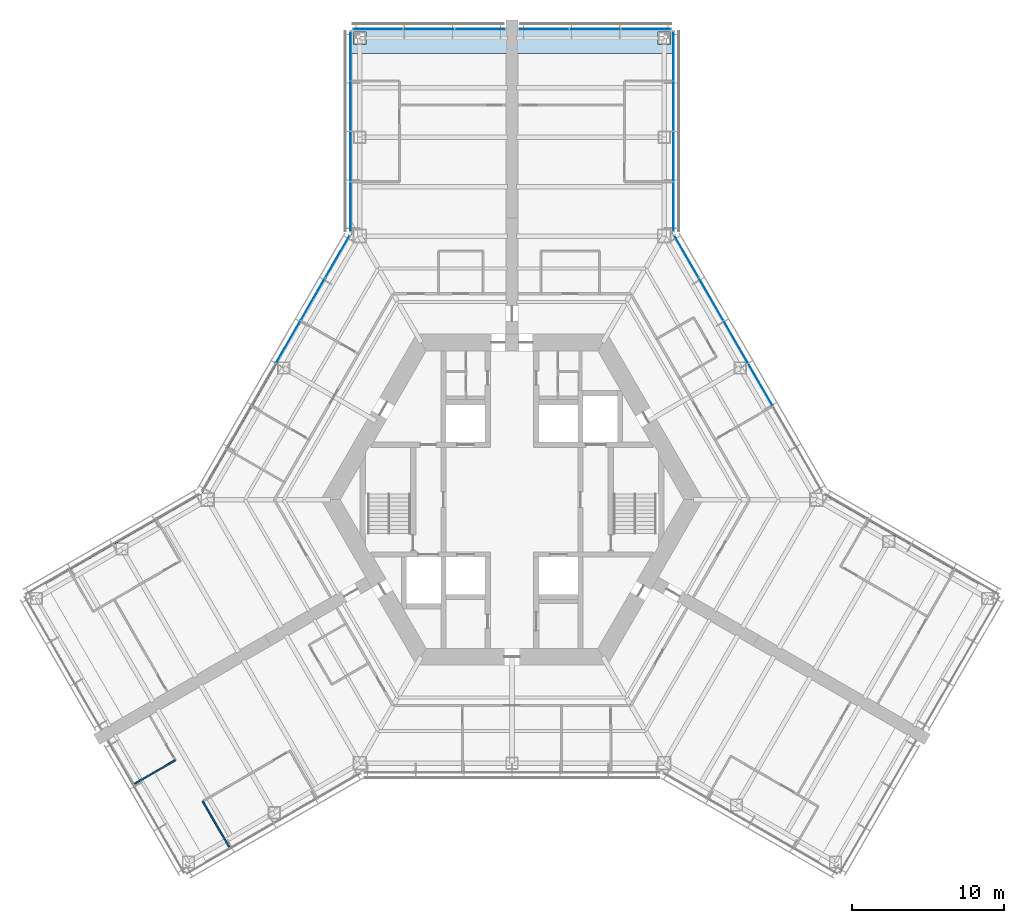
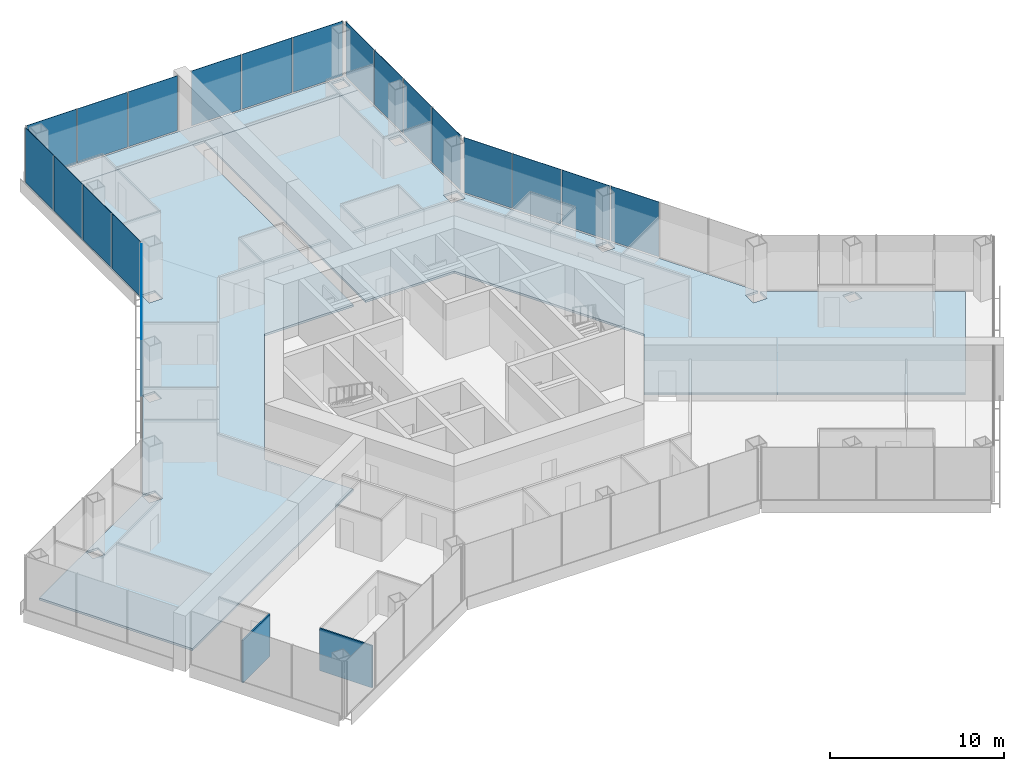
# One storey, part 11 of 18: 21 plates, 3 slabs, 2 walls, 6 elements without a shape of their own.
"""IFC4 building model written with IfcOpenShell, lengths in metres."""

from ifc_helpers import new_model, si_unit, direction, frame, frame_2d, origin, origin_2d, place, context, subcontext, project, spatial, polyline, rectangle, outline, extrude, material, layer, layer_set, type_object, element, aggregate, save


model = new_model("IFC4")

# Units and contexts
model_context = context("Model", 3, precision=1e-05, world=origin(), true_north=direction((0.0, 1.0)))
body_context = subcontext(model_context, "Body", "Model", "MODEL_VIEW")
ifc_project = project(units=[si_unit("LENGTHUNIT", "METRE"), si_unit("AREAUNIT", "SQUARE_METRE"), si_unit("VOLUMEUNIT", "CUBIC_METRE"), si_unit("PLANEANGLEUNIT", "RADIAN"), si_unit("MASSUNIT", "GRAM", prefix="KILO")], contexts=[model_context])

# Site, building, storey
site_placement = place(None, origin())
site = spatial("IfcSite", under=ifc_project, at=site_placement, CompositionType="ELEMENT")
building_placement = place(site_placement, origin())
building = spatial("IfcBuilding", under=site, at=building_placement, Name="Kasaneha Research Tower", CompositionType="ELEMENT")
storey_placement = place(building_placement, frame((0.0, 0.0, 115.800048828125)))
storey = spatial("IfcBuildingStorey", under=building, at=storey_placement, Name="L29", CompositionType="ELEMENT", Elevation=115.800048828125)

# Curtain wall, plates
ifc_material_1 = material(Name="Glass and aluminium", Category="aluminium")
curtain_wall_type = type_object("IfcCurtainWallType", Name="Low-rise office curtain wall", PredefinedType="USERDEFINED", material=ifc_material_1)
curtain_wall_1_placement = place(storey_placement, origin())
curtain_wall_1 = element("IfcCurtainWall", 1, at=curtain_wall_1_placement, inside=storey, type_object=curtain_wall_type, Name="CW-O1 L29 run 07a", ObjectType="UNITISED CURTAIN WALL", PredefinedType="USERDEFINED")
ifc_material_2 = material(Name="Laminated double glazing", Category="glass")
ifc_layer_1 = layer(ifc_material_2, 0.028076171875)
ifc_layer_set_1 = layer_set([ifc_layer_1], Name="CW-O1 glazed panel")
plate_type = type_object("IfcPlateType", Name="CW-O1 glazed panel", PredefinedType="CURTAIN_PANEL", material=ifc_layer_set_1)
plate_1_placement = place(storey_placement, frame((16.331298828125, 7.554443359375, 0.06005859375), z_axis=(0.0, 0.0, 1.0), x_axis=(-0.49999996188, 0.866025425793, 0.0)))
plate_1 = element("IfcPlate", 2, at=plate_1_placement, type_object=plate_type, Name="CW-O1 panel 3", PredefinedType="CURTAIN_PANEL", context=body_context, shape_type="SweptSolid", body=[
    extrude(rectangle(XDim=3.1865234375, YDim=0.028076171875, at=origin_2d()), origin(), (0.0, 0.0, 1.0), 3.840087890625),
])
plate_2_placement = place(storey_placement, frame((14.7080078125, 10.365966796875, 0.06005859375), z_axis=(0.0, 0.0, 1.0), x_axis=(-0.49999996188, 0.866025425793, 0.0)))
plate_2 = element("IfcPlate", 3, at=plate_2_placement, type_object=plate_type, Name="CW-O1 panel 4", PredefinedType="CURTAIN_PANEL", context=body_context, shape_type="SweptSolid", body=[
    extrude(rectangle(XDim=3.1865234375, YDim=0.028076171875, at=origin_2d()), origin(), (0.0, 0.0, 1.0), 3.840087890625),
])
plate_3_placement = place(storey_placement, frame((13.084716796875, 13.177490234375, 0.06005859375), z_axis=(0.0, 0.0, 1.0), x_axis=(-0.49999996188, 0.866025425793, 0.0)))
plate_3 = element("IfcPlate", 4, at=plate_3_placement, type_object=plate_type, Name="CW-O1 panel 5", PredefinedType="CURTAIN_PANEL", context=body_context, shape_type="SweptSolid", body=[
    extrude(rectangle(XDim=3.1865234375, YDim=0.028076171875, at=origin_2d()), origin(), (0.0, 0.0, 1.0), 3.840087890625),
])
plate_4_placement = place(storey_placement, frame((11.468994140625, 15.975830078125, 0.06005859375), z_axis=(0.0, 0.0, 1.0), x_axis=(-0.49999996188, 0.866025425793, 0.0)))
plate_4 = element("IfcPlate", 5, at=plate_4_placement, type_object=plate_type, Name="CW-O1 panel 6", PredefinedType="CURTAIN_PANEL", context=body_context, shape_type="SweptSolid", body=[
    extrude(rectangle(XDim=3.156494140625, YDim=0.028076171875, at=origin_2d()), origin(), (0.0, 0.0, 1.0), 3.840087890625),
])
aggregate(curtain_wall_1, [plate_1, plate_2, plate_3, plate_4])

curtain_wall_2_placement = place(storey_placement, origin())
curtain_wall_2 = element("IfcCurtainWall", 6, at=curtain_wall_2_placement, inside=storey, type_object=curtain_wall_type, Name="CW-O1 L29 run 08a", ObjectType="UNITISED CURTAIN WALL", PredefinedType="USERDEFINED")
plate_5_placement = place(storey_placement, frame((10.60009765625, 19.251220703125, 0.06005859375), z_axis=(0.0, 0.0, 1.0), x_axis=(0.0, 1.0, 0.0)))
plate_5 = element("IfcPlate", 7, at=plate_5_placement, type_object=plate_type, Name="CW-O1 panel 1", PredefinedType="CURTAIN_PANEL", context=body_context, shape_type="SweptSolid", body=[
    extrude(rectangle(XDim=3.2197265625, YDim=0.028076171875, at=origin_2d()), origin(), (0.0, 0.0, 1.0), 3.840087890625),
])
plate_6_placement = place(storey_placement, frame((10.60009765625, 22.5458984375, 0.06005859375), z_axis=(0.0, 0.0, 1.0), x_axis=(0.0, 1.0, 0.0)))
plate_6 = element("IfcPlate", 8, at=plate_6_placement, type_object=plate_type, Name="CW-O1 panel 2", PredefinedType="CURTAIN_PANEL", context=body_context, shape_type="SweptSolid", body=[
    extrude(rectangle(XDim=3.249755859375, YDim=0.028076171875, at=origin_2d()), origin(), (0.0, 0.0, 1.0), 3.840087890625),
])
plate_7_placement = place(storey_placement, frame((10.60009765625, 25.855712890625, 0.06005859375), z_axis=(0.0, 0.0, 1.0), x_axis=(0.0, 1.0, 0.0)))
plate_7 = element("IfcPlate", 9, at=plate_7_placement, type_object=plate_type, Name="CW-O1 panel 3", PredefinedType="CURTAIN_PANEL", context=body_context, shape_type="SweptSolid", body=[
    extrude(rectangle(XDim=3.249755859375, YDim=0.028076171875, at=origin_2d()), origin(), (0.0, 0.0, 1.0), 3.840087890625),
])
plate_8_placement = place(storey_placement, frame((10.60009765625, 29.150634765625, 0.06005859375), z_axis=(0.0, 0.0, 1.0), x_axis=(0.0, 1.0, 0.0)))
plate_8 = element("IfcPlate", 10, at=plate_8_placement, type_object=plate_type, Name="CW-O1 panel 4", PredefinedType="CURTAIN_PANEL", context=body_context, shape_type="SweptSolid", body=[
    extrude(rectangle(XDim=3.2197265625, YDim=0.028076171875, at=origin_2d()), origin(), (0.0, 0.0, 1.0), 3.840087890625),
])
aggregate(curtain_wall_2, [plate_5, plate_6, plate_7, plate_8])

curtain_wall_3_placement = place(storey_placement, origin())
curtain_wall_3 = element("IfcCurtainWall", 11, at=curtain_wall_3_placement, inside=storey, type_object=curtain_wall_type, Name="CW-O1 L29 run 09a", ObjectType="UNITISED CURTAIN WALL", PredefinedType="USERDEFINED")
plate_9_placement = place(storey_placement, frame((8.8017578125, 30.92041015625, 0.06005859375), z_axis=(0.0, 0.0, 1.0), x_axis=(-1.0, 0.0, 0.0)))
plate_9 = element("IfcPlate", 12, at=plate_9_placement, type_object=plate_type, Name="CW-O1 panel 1", PredefinedType="CURTAIN_PANEL", context=body_context, shape_type="SweptSolid", body=[
    extrude(rectangle(XDim=3.276611328125, YDim=0.028076171875, at=origin_2d()), origin(), (0.0, 0.0, 1.0), 3.840087890625),
])
plate_10_placement = place(storey_placement, frame((5.449951171875, 30.92041015625, 0.06005859375), z_axis=(0.0, 0.0, 1.0), x_axis=(-1.0, 0.0, 0.0)))
plate_10 = element("IfcPlate", 13, at=plate_10_placement, type_object=plate_type, Name="CW-O1 panel 2", PredefinedType="CURTAIN_PANEL", context=body_context, shape_type="SweptSolid", body=[
    extrude(rectangle(XDim=3.306640625, YDim=0.028076171875, at=origin_2d()), origin(), (0.0, 0.0, 1.0), 3.840087890625),
])
plate_11_placement = place(storey_placement, frame((2.098388671875, 30.92041015625, 0.06005859375), z_axis=(0.0, 0.0, 1.0), x_axis=(-1.0, 0.0, 0.0)))
plate_11 = element("IfcPlate", 14, at=plate_11_placement, type_object=plate_type, Name="CW-O1 panel 3", PredefinedType="CURTAIN_PANEL", context=body_context, shape_type="SweptSolid", body=[
    extrude(rectangle(XDim=3.276611328125, YDim=0.028076171875, at=origin_2d()), origin(), (0.0, 0.0, 1.0), 3.840087890625),
])
aggregate(curtain_wall_3, [plate_9, plate_10, plate_11])

curtain_wall_4_placement = place(storey_placement, origin())
curtain_wall_4 = element("IfcCurtainWall", 15, at=curtain_wall_4_placement, inside=storey, type_object=curtain_wall_type, Name="CW-O1 L29 run 10a", ObjectType="UNITISED CURTAIN WALL", PredefinedType="USERDEFINED")
plate_12_placement = place(storey_placement, frame((-2.098388671875, 30.92041015625, 0.06005859375), z_axis=(0.0, 0.0, 1.0), x_axis=(-1.0, 0.0, 0.0)))
plate_12 = element("IfcPlate", 16, at=plate_12_placement, type_object=plate_type, Name="CW-O1 panel 1", PredefinedType="CURTAIN_PANEL", context=body_context, shape_type="SweptSolid", body=[
    extrude(rectangle(XDim=3.276611328125, YDim=0.028076171875, at=origin_2d()), origin(), (0.0, 0.0, 1.0), 3.840087890625),
])
plate_13_placement = place(storey_placement, frame((-5.449951171875, 30.92041015625, 0.06005859375), z_axis=(0.0, 0.0, 1.0), x_axis=(-1.0, 0.0, 0.0)))
plate_13 = element("IfcPlate", 17, at=plate_13_placement, type_object=plate_type, Name="CW-O1 panel 2", PredefinedType="CURTAIN_PANEL", context=body_context, shape_type="SweptSolid", body=[
    extrude(rectangle(XDim=3.306640625, YDim=0.028076171875, at=origin_2d()), origin(), (0.0, 0.0, 1.0), 3.840087890625),
])
plate_14_placement = place(storey_placement, frame((-8.8017578125, 30.92041015625, 0.06005859375), z_axis=(0.0, 0.0, 1.0), x_axis=(-1.0, 0.0, 0.0)))
plate_14 = element("IfcPlate", 18, at=plate_14_placement, type_object=plate_type, Name="CW-O1 panel 3", PredefinedType="CURTAIN_PANEL", context=body_context, shape_type="SweptSolid", body=[
    extrude(rectangle(XDim=3.276611328125, YDim=0.028076171875, at=origin_2d()), origin(), (0.0, 0.0, 1.0), 3.840087890625),
])
aggregate(curtain_wall_4, [plate_12, plate_13, plate_14])

curtain_wall_5_placement = place(storey_placement, origin())
curtain_wall_5 = element("IfcCurtainWall", 19, at=curtain_wall_5_placement, inside=storey, type_object=curtain_wall_type, Name="CW-O1 L29 run 11a", ObjectType="UNITISED CURTAIN WALL", PredefinedType="USERDEFINED")
plate_15_placement = place(storey_placement, frame((-10.60009765625, 29.150634765625, 0.06005859375), z_axis=(0.0, 0.0, 1.0), x_axis=(0.0, -1.0, 0.0)))
plate_15 = element("IfcPlate", 20, at=plate_15_placement, type_object=plate_type, Name="CW-O1 panel 1", PredefinedType="CURTAIN_PANEL", context=body_context, shape_type="SweptSolid", body=[
    extrude(rectangle(XDim=3.2197265625, YDim=0.028076171875, at=origin_2d()), origin(), (0.0, 0.0, 1.0), 3.840087890625),
])
plate_16_placement = place(storey_placement, frame((-10.60009765625, 25.855712890625, 0.06005859375), z_axis=(0.0, 0.0, 1.0), x_axis=(0.0, -1.0, 0.0)))
plate_16 = element("IfcPlate", 21, at=plate_16_placement, type_object=plate_type, Name="CW-O1 panel 2", PredefinedType="CURTAIN_PANEL", context=body_context, shape_type="SweptSolid", body=[
    extrude(rectangle(XDim=3.249755859375, YDim=0.028076171875, at=origin_2d()), origin(), (0.0, 0.0, 1.0), 3.840087890625),
])
plate_17_placement = place(storey_placement, frame((-10.60009765625, 22.5458984375, 0.06005859375), z_axis=(0.0, 0.0, 1.0), x_axis=(0.0, -1.0, 0.0)))
plate_17 = element("IfcPlate", 22, at=plate_17_placement, type_object=plate_type, Name="CW-O1 panel 3", PredefinedType="CURTAIN_PANEL", context=body_context, shape_type="SweptSolid", body=[
    extrude(rectangle(XDim=3.249755859375, YDim=0.028076171875, at=origin_2d()), origin(), (0.0, 0.0, 1.0), 3.840087890625),
])
plate_18_placement = place(storey_placement, frame((-10.60009765625, 19.251220703125, 0.06005859375), z_axis=(0.0, 0.0, 1.0), x_axis=(0.0, -1.0, 0.0)))
plate_18 = element("IfcPlate", 23, at=plate_18_placement, type_object=plate_type, Name="CW-O1 panel 4", PredefinedType="CURTAIN_PANEL", context=body_context, shape_type="SweptSolid", body=[
    extrude(rectangle(XDim=3.2197265625, YDim=0.028076171875, at=origin_2d()), origin(), (0.0, 0.0, 1.0), 3.840087890625),
])
aggregate(curtain_wall_5, [plate_15, plate_16, plate_17, plate_18])

curtain_wall_6_placement = place(storey_placement, origin())
curtain_wall_6 = element("IfcCurtainWall", 24, at=curtain_wall_6_placement, inside=storey, type_object=curtain_wall_type, Name="CW-O1 L29 run 12a", ObjectType="UNITISED CURTAIN WALL", PredefinedType="USERDEFINED")
plate_19_placement = place(storey_placement, frame((-11.468994140625, 15.975830078125, 0.06005859375), z_axis=(0.0, 0.0, 1.0), x_axis=(-0.49999996188, -0.866025425793, 0.0)))
plate_19 = element("IfcPlate", 25, at=plate_19_placement, type_object=plate_type, Name="CW-O1 panel 1", PredefinedType="CURTAIN_PANEL", context=body_context, shape_type="SweptSolid", body=[
    extrude(rectangle(XDim=3.156494140625, YDim=0.028076171875, at=origin_2d()), origin(), (0.0, 0.0, 1.0), 3.840087890625),
])
plate_20_placement = place(storey_placement, frame((-13.084716796875, 13.177490234375, 0.06005859375), z_axis=(0.0, 0.0, 1.0), x_axis=(-0.49999996188, -0.866025425793, 0.0)))
plate_20 = element("IfcPlate", 26, at=plate_20_placement, type_object=plate_type, Name="CW-O1 panel 2", PredefinedType="CURTAIN_PANEL", context=body_context, shape_type="SweptSolid", body=[
    extrude(rectangle(XDim=3.1865234375, YDim=0.028076171875, at=origin_2d()), origin(), (0.0, 0.0, 1.0), 3.840087890625),
])
plate_21_placement = place(storey_placement, frame((-14.7080078125, 10.365966796875, 0.06005859375), z_axis=(0.0, 0.0, 1.0), x_axis=(-0.49999996188, -0.866025425793, 0.0)))
plate_21 = element("IfcPlate", 27, at=plate_21_placement, type_object=plate_type, Name="CW-O1 panel 3", PredefinedType="CURTAIN_PANEL", context=body_context, shape_type="SweptSolid", body=[
    extrude(rectangle(XDim=3.1865234375, YDim=0.028076171875, at=origin_2d()), origin(), (0.0, 0.0, 1.0), 3.840087890625),
])
aggregate(curtain_wall_6, [plate_19, plate_20, plate_21])

# Slabs
ifc_material_3 = material(Name="Concrete Fc24", Category="concrete")
ifc_layer_2 = layer(ifc_material_3, 0.14990234375)
ifc_layer_set_2 = layer_set([ifc_layer_2], Name="Floor slab 150")
slab_type = type_object("IfcSlabType", Name="Floor slab 150", PredefinedType="FLOOR", material=ifc_layer_set_2)
slab_1_placement = place(storey_placement, frame((0.0, 0.0, -0.150146484375)))
element("IfcSlab", 28, at=slab_1_placement, inside=storey, type_object=slab_type, Name="Floor slab L29 2", PredefinedType="FLOOR", context=body_context, shape_type="SweptSolid", body=[
    extrude(outline(polyline([(-20.375244140625, 0.449951171875), (-15.40771484375, 9.053955078125), (-15.400146484375, 9.046142578125), (-15.400146484375, 8.26025390625), (-14.599853515625, 8.26025390625), (-14.599853515625, 9.060302734375), (-15.385986328125, 9.060302734375), (-15.3974609375, 9.07177734375), (-10.550048828125, 17.4677734375), (-10.550048828125, 29.310546875), (-0.39990234375, 29.310546875), (-0.39990234375, 10.875), (-6.278564453125, 10.875), (-12.557373046875, 0.0), (-9.617919921875, -5.091064453125), (-25.583740234375, -14.308837890625), (-30.65869140625, -5.518798828125), (-26.040771484375, -2.8525390625), (-26.029296875, -2.864013671875), (-26.029296875, -3.650146484375), (-25.22900390625, -3.650146484375), (-25.22900390625, -2.849853515625), (-26.01513671875, -2.849853515625), (-26.02294921875, -2.84228515625), (-20.449951171875, 0.375244140625), (-20.449951171875, -0.449951171875), (-19.550048828125, -0.449951171875), (-19.550048828125, 0.449951171875), (-20.375244140625, 0.449951171875)]), holes=[polyline([(-9.550048828125, 17.7705078125), (-10.449951171875, 17.7705078125), (-10.449951171875, 16.87060546875), (-9.550048828125, 16.87060546875), (-9.550048828125, 17.7705078125)]), polyline([(-9.60009765625, 23.42041015625), (-9.60009765625, 24.220458984375), (-10.39990234375, 24.220458984375), (-10.39990234375, 23.42041015625), (-9.60009765625, 23.42041015625)])]), origin(), (0.0, 0.0, 1.0), 0.150146484375),
])
slab_2_placement = place(storey_placement, frame((0.0, 0.0, -0.150146484375)))
element("IfcSlab", 29, at=slab_2_placement, inside=storey, type_object=slab_type, Name="Floor slab L29 3", PredefinedType="FLOOR", context=body_context, shape_type="SweptSolid", body=[
    extrude(outline(polyline([(10.550048828125, 29.310546875), (0.39990234375, 29.310546875), (0.39990234375, 29.320556640625), (-0.39990234375, 29.320556640625), (-0.39990234375, 29.310546875), (-10.550048828125, 29.310546875), (-10.550048828125, 30.87060546875), (10.550048828125, 30.87060546875), (10.550048828125, 29.310546875)]), holes=[polyline([(-9.60009765625, 30.720458984375), (-10.39990234375, 30.720458984375), (-10.39990234375, 29.92041015625), (-9.60009765625, 29.92041015625), (-9.60009765625, 30.720458984375)]), polyline([(10.39990234375, 29.92041015625), (10.39990234375, 30.720458984375), (9.60009765625, 30.720458984375), (9.60009765625, 29.92041015625), (10.39990234375, 29.92041015625)])]), origin(), (0.0, 0.0, 1.0), 0.150146484375),
])
slab_3_placement = place(storey_placement, frame((0.0, 0.0, -0.150146484375)))
element("IfcSlab", 30, at=slab_3_placement, inside=storey, type_object=slab_type, Name="Floor slab L29 5", PredefinedType="FLOOR", context=body_context, shape_type="SweptSolid", body=[
    extrude(outline(polyline([(9.617919921875, -5.091064453125), (12.557373046875, 0.0), (6.278564453125, 10.875), (0.39990234375, 10.875), (0.39990234375, 29.310546875), (10.550048828125, 29.310546875), (10.550048828125, 17.4677734375), (15.3974609375, 9.07177734375), (15.385986328125, 9.060302734375), (14.599853515625, 9.060302734375), (14.599853515625, 8.26025390625), (15.400146484375, 8.26025390625), (15.400146484375, 9.046142578125), (15.40771484375, 9.053955078125), (20.375244140625, 0.449951171875), (19.550048828125, 0.449951171875), (19.550048828125, -0.449951171875), (20.449951171875, -0.449951171875), (20.449951171875, 0.375244140625), (25.15673828125, -2.34228515625), (25.149169921875, -2.349853515625), (24.363037109375, -2.349853515625), (24.363037109375, -3.150146484375), (25.163330078125, -3.150146484375), (25.163330078125, -2.364013671875), (25.1748046875, -2.3525390625), (30.65869140625, -5.518798828125), (25.583740234375, -14.308837890625), (9.617919921875, -5.091064453125)]), holes=[polyline([(10.449951171875, 16.87060546875), (10.449951171875, 17.7705078125), (9.550048828125, 17.7705078125), (9.550048828125, 16.87060546875), (10.449951171875, 16.87060546875)]), polyline([(10.39990234375, 23.42041015625), (10.39990234375, 24.220458984375), (9.60009765625, 24.220458984375), (9.60009765625, 23.42041015625), (10.39990234375, 23.42041015625)])]), origin(), (0.0, 0.0, 1.0), 0.150146484375),
])

# Walls
ifc_material_4 = material(Name="Gypsum board on steel studs, one layer each side", Category="steel")
ifc_layer_3 = layer(ifc_material_4, 0.10009765625)
ifc_layer_set_3 = layer_set([ifc_layer_3], Name="Office partition 100")
wall_type = type_object("IfcWallType", Name="Office partition 100", PredefinedType="PARTITIONING", material=ifc_layer_set_3)
wall_1_placement = place(storey_placement, frame((-18.5849609375, -22.831298828125, 0.0), z_axis=(0.0, 0.0, 1.0), x_axis=(-0.499979528911, 0.866037222451, 0.0)))
element("IfcWall", 31, at=wall_1_placement, inside=storey, type_object=wall_type, Name="Office partition FBS08 L29", PredefinedType="PARTITIONING", context=body_context, shape_type="SweptSolid", body=[
    extrude(rectangle(XDim=3.480224609375, YDim=0.10009765625, at=frame_2d((1.740234375, 0.0))), origin(), (0.0, 0.0, 1.0), 2.949951171875),
])
wall_2_placement = place(storey_placement, frame((-22.123291015625, -17.122314453125, 0.0), z_axis=(0.0, 0.0, 1.0), x_axis=(-0.86602952684, -0.49999285859, 0.0)))
element("IfcWall", 32, at=wall_2_placement, inside=storey, type_object=wall_type, Name="Office partition FBS11 L29", PredefinedType="PARTITIONING", context=body_context, shape_type="SweptSolid", body=[
    extrude(rectangle(XDim=3.10009765625, YDim=0.10009765625, at=frame_2d((1.550048828125, 0.0))), origin(), (0.0, 0.0, 1.0), 2.949951171875),
])

save(model, "model.ifc")
